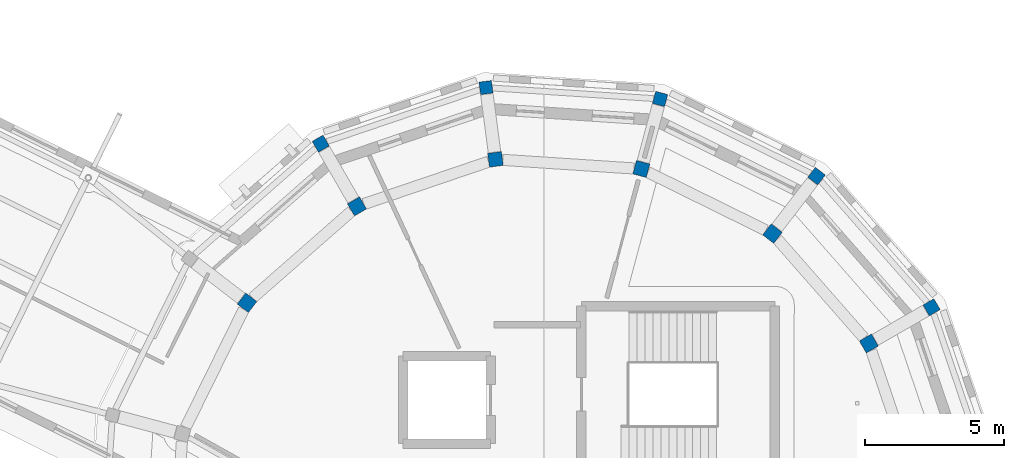
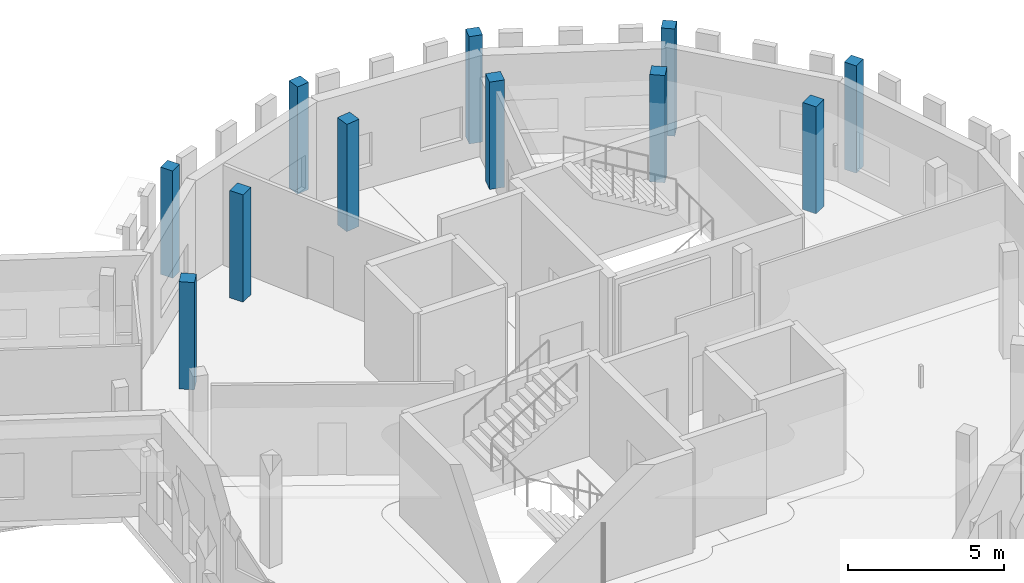
# One storey, part 19 of 68: 11 columns.
"""IFC4 building model written with IfcOpenShell, lengths in metres."""

from ifc_helpers import new_model, si_unit, direction, frame, origin, origin_2d, place, context, subcontext, project, spatial, rectangle, extrude, material, material_profile, profile_set, type_object, element, save


model = new_model("IFC4")

# Units and contexts
model_context = context("Model", 3, precision=1e-05, world=origin(), true_north=direction((0.0, 1.0)))
body_context = subcontext(model_context, "Body", "Model", "MODEL_VIEW")
ifc_project = project(units=[si_unit("LENGTHUNIT", "METRE"), si_unit("AREAUNIT", "SQUARE_METRE"), si_unit("VOLUMEUNIT", "CUBIC_METRE"), si_unit("PLANEANGLEUNIT", "RADIAN"), si_unit("MASSUNIT", "GRAM", prefix="KILO")], contexts=[model_context])

# Site, building, storey
site_placement = place(None, origin())
site = spatial("IfcSite", under=ifc_project, at=site_placement, CompositionType="ELEMENT")
building_placement = place(site_placement, origin())
building = spatial("IfcBuilding", under=site, at=building_placement, Name="Wrenclough Park School", CompositionType="ELEMENT")
storey_placement = place(building_placement, frame((0.0, 0.0, 12.60009765625)))
storey = spatial("IfcBuildingStorey", under=building, at=storey_placement, Name="L03", CompositionType="ELEMENT", Elevation=12.60009765625)

# Columns
ifc_material = material(Name="Concrete C40/50", Category="concrete")
ifc_material_profile_1 = material_profile(ifc_material, rectangle(XDim=0.449951171875, YDim=0.449951171875, at=origin_2d()), Name="RC COL 450x450")
ifc_profile_set_1 = profile_set([ifc_material_profile_1], Name="Concrete C40/50")
column_type_1 = type_object("IfcColumnType", Name="STR-COL-RC450", PredefinedType="COLUMN", material=ifc_profile_set_1)
for number, where, z_axis, x_axis, name in (
    (1, (188.399658203125, 101.52490234375, 0.0), (0.0, 0.0, 1.0), (-0.5, 0.866025403784, 0.0), "D5 L03 column D5-OUT-02"),
    (2, (184.2705078125, 106.2333984375, 0.0), (0.0, 0.0, 1.0), (-0.793353340291, 0.608761429009, 0.0), "D5 L03 column D5-OUT-03"),
    (3, (178.654052734375, 109.003173828125, 0.0), (0.0, 0.0, 1.0), (-0.965925826289, 0.258819045103, 0.0), "D5 L03 column D5-OUT-04"),
    (4, (172.405029296875, 109.41259765625, 0.0), (0.0, 0.0, 1.0), (-0.991444861374, -0.13052619222, 0.0), "D5 L03 column D5-OUT-05"),
    (5, (166.47509765625, 107.399658203125, 0.0), (0.0, 0.0, 1.0), (-0.866025403784, -0.5, 0.0), "D5 L03 column D5-OUT-06"),
):
    element("IfcColumn", number, at=place(storey_placement, frame(where, z_axis=z_axis, x_axis=x_axis)), inside=storey, type_object=column_type_1, Name=name, PredefinedType="COLUMN", context=body_context, shape_type="SweptSolid", body=[
        extrude(rectangle(XDim=0.449951171875, YDim=0.449951171875, at=origin_2d()), origin(), (0.0, 0.0, 1.0), 4.199951171875),
    ])
ifc_material_profile_2 = material_profile(ifc_material, rectangle(XDim=0.5, YDim=0.5, at=origin_2d()), Name="RC COL 500x500")
ifc_profile_set_2 = profile_set([ifc_material_profile_2], Name="Concrete C40/50")
column_type_2 = type_object("IfcColumnType", Name="STR-COL-RC500", PredefinedType="COLUMN", material=ifc_profile_set_2)
for number, where, z_axis, x_axis, name in (
    (6, (186.14794921875, 100.22509765625, 0.0), (0.0, 0.0, 1.0), (-0.5, 0.866025403784, 0.0), "D5 L03 column D5-MID-02"),
    (7, (182.687744140625, 104.170654296875, 0.0), (0.0, 0.0, 1.0), (-0.793353340291, 0.608761429009, 0.0), "D5 L03 column D5-MID-03"),
    (8, (177.981201171875, 106.49169921875, 0.0), (0.0, 0.0, 1.0), (-0.965925826289, 0.258819045103, 0.0), "D5 L03 column D5-MID-04"),
    (9, (172.744384765625, 106.8349609375, 0.0), (0.0, 0.0, 1.0), (-0.991444861374, -0.13052619222, 0.0), "D5 L03 column D5-MID-05"),
    (10, (167.77490234375, 105.14794921875, 0.0), (0.0, 0.0, 1.0), (-0.866025403784, -0.5, 0.0), "D5 L03 column D5-MID-06"),
    (11, (163.829345703125, 101.687744140625, 0.0), (0.0, 0.0, 1.0), (-0.608761429009, -0.793353340291, 0.0), "D5 L03 column D5-MID-07"),
):
    element("IfcColumn", number, at=place(storey_placement, frame(where, z_axis=z_axis, x_axis=x_axis)), inside=storey, type_object=column_type_2, Name=name, PredefinedType="COLUMN", context=body_context, shape_type="SweptSolid", body=[
        extrude(rectangle(XDim=0.5, YDim=0.5, at=origin_2d()), origin(), (0.0, 0.0, 1.0), 4.199951171875),
    ])

save(model, "model.ifc")
